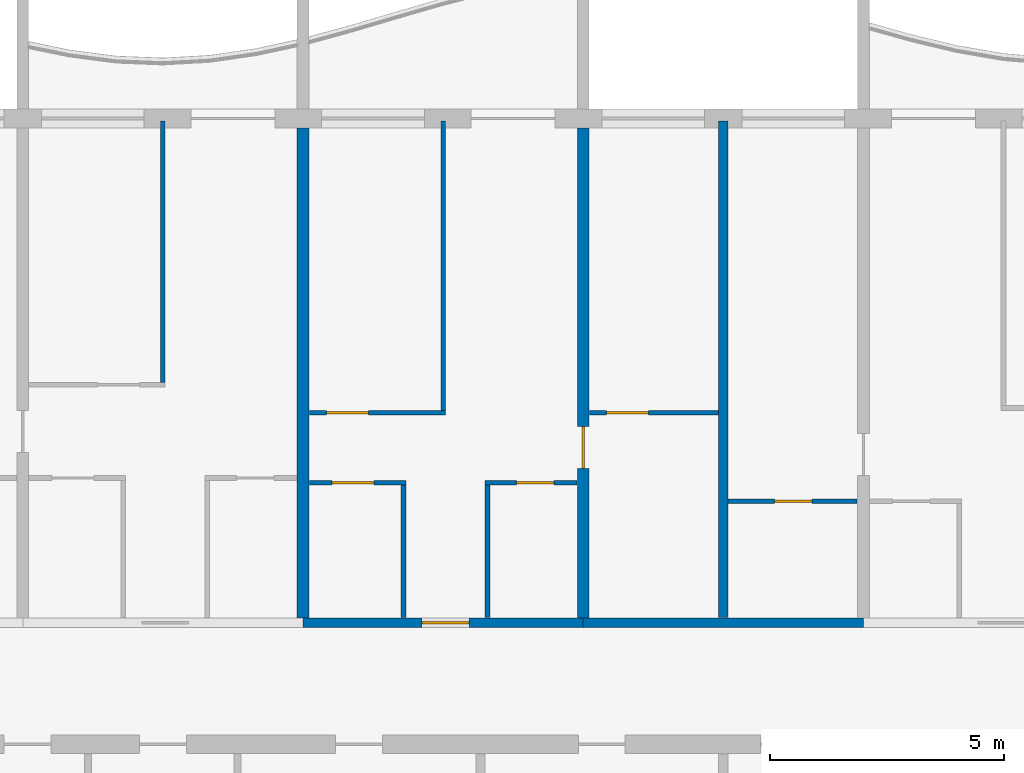
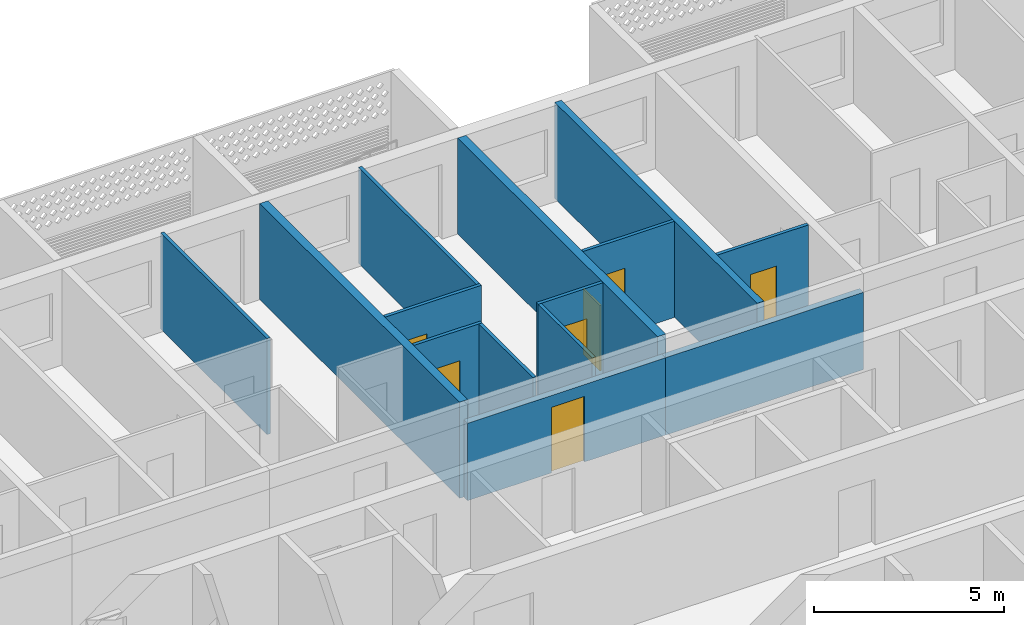
# One storey, part 9 of 26: 14 walls, 7 doors, 7 openings.
"""IFC4 building model written with IfcOpenShell, lengths in metres."""

from ifc_helpers import new_model, si_unit, direction, frame, frame_2d, origin, place, context, subcontext, project, spatial, rectangle, extrude, material, layer, layer_set, type_object, element, fill, save


model = new_model("IFC4")

# Units and contexts
model_context = context("Model", 3, precision=1e-05, world=origin(), true_north=direction((0.0, 1.0)))
body_context = subcontext(model_context, "Body", "Model", "MODEL_VIEW")
ifc_project = project(units=[si_unit("LENGTHUNIT", "METRE"), si_unit("AREAUNIT", "SQUARE_METRE"), si_unit("VOLUMEUNIT", "CUBIC_METRE"), si_unit("PLANEANGLEUNIT", "RADIAN"), si_unit("MASSUNIT", "GRAM", prefix="KILO")], contexts=[model_context])

# Site, building, storey
site_placement = place(None, origin())
site = spatial("IfcSite", under=ifc_project, at=site_placement, CompositionType="ELEMENT")
building_placement = place(site_placement, origin())
building = spatial("IfcBuilding", under=site, at=building_placement, Name="Poui Terraces", CompositionType="ELEMENT")
storey_placement = place(building_placement, frame((0.0, 0.0, 175.199951171875)))
storey = spatial("IfcBuildingStorey", under=building, at=storey_placement, Name="L48", CompositionType="ELEMENT", Elevation=175.199951171875)

# Wall, opening, door
ifc_material_1 = material(Name="Concrete 50 MPa", Category="concrete")
ifc_layer_1 = layer(ifc_material_1, 0.199951171875)
ifc_layer_set_1 = layer_set([ifc_layer_1], Name="Concrete 50 MPa")
wall_type_1 = type_object("IfcWallType", Name="CORRIDOR WALL 200 50MPa", PredefinedType="SHEAR", material=ifc_layer_set_1)
wall_1_placement = place(storey_placement, frame((54.0, 30.39990234375, 0.0), z_axis=(0.0, 0.0, 1.0), x_axis=(1.0, 0.0, 0.0)))
wall_1 = element("IfcWall", 1, at=wall_1_placement, inside=storey, type_object=wall_type_1, Name="CORRIDOR WALL LINE E BAY 7", PredefinedType="SHEAR", context=body_context, shape_type="SweptSolid", body=[
    extrude(rectangle(XDim=6.0, YDim=0.199951171875, at=frame_2d((3.0, 0.0))), origin(), (0.0, 0.0, 1.0), 2.47998046875),
])
opening_1_placement = place(wall_1_placement, frame((2.550048828125, 0.0, 0.0)))
opening_1 = element("IfcOpeningElement", 2, at=opening_1_placement, cuts=wall_1, Name="Opening FD30S", PredefinedType="OPENING", context=body_context, shape_type="SweptSolid", body=[
    extrude(rectangle(XDim=1.0, YDim=2.10009765625, at=frame_2d((0.5, 1.050048828125))), frame((0.0, 0.10986328125, 0.0), z_axis=(0.0, -1.0, 0.0), x_axis=(1.0, 0.0, 0.0)), (0.0, 0.0, 1.0), 0.219970703125),
])
ifc_material_2 = material(Name="Steel fire door", Category="steel")
door_type_1 = type_object("IfcDoorType", Name="FLAT ENTRANCE DOOR 1000 X 2100", OperationType="NOTDEFINED", PredefinedType="DOOR", material=ifc_material_2)
door_1_placement = place(opening_1_placement, origin())
door_1 = element("IfcDoor", 3, at=door_1_placement, inside=storey, type_object=door_type_1, Name="FLAT ENTRANCE DOOR 048", OperationType="SINGLE_SWING_RIGHT", OverallHeight=2.10009765625, OverallWidth=1.0, PredefinedType="DOOR", context=body_context, shape_type="SweptSolid", body=[
    extrude(rectangle(XDim=1.0, YDim=2.10009765625, at=frame_2d((0.5, 1.050048828125))), frame((0.0, 0.02490234375, 0.0), z_axis=(0.0, -1.0, 0.0), x_axis=(1.0, 0.0, 0.0)), (0.0, 0.0, 1.0), 0.050048828125),
])
fill(opening_1, door_1)

# Walls
wall_2_placement = place(storey_placement, frame((60.0, 30.39990234375, 0.0), z_axis=(0.0, 0.0, 1.0), x_axis=(1.0, 0.0, 0.0)))
element("IfcWall", 4, at=wall_2_placement, inside=storey, type_object=wall_type_1, Name="CORRIDOR WALL LINE E BAY 8", PredefinedType="SHEAR", context=body_context, shape_type="SweptSolid", body=[
    extrude(rectangle(XDim=6.0, YDim=0.199951171875, at=frame_2d((3.0, 0.0))), origin(), (0.0, 0.0, 1.0), 2.47998046875),
])
ifc_layer_2 = layer(ifc_material_1, 0.25)
ifc_layer_set_2 = layer_set([ifc_layer_2], Name="Concrete 50 MPa")
wall_type_2 = type_object("IfcWallType", Name="CROSS WALL 250 50MPa", PredefinedType="SHEAR", material=ifc_layer_set_2)
wall_3_placement = place(storey_placement, frame((54.0, 30.5, 0.0), z_axis=(0.0, 0.0, 1.0), x_axis=(0.0, 1.0, 0.0)))
element("IfcWall", 5, at=wall_3_placement, inside=storey, type_object=wall_type_2, Name="CROSS WALL LINE 10 NORTH", PredefinedType="SHEAR", context=body_context, shape_type="SweptSolid", body=[
    extrude(rectangle(XDim=10.5, YDim=0.25, at=frame_2d((5.25, 0.0))), origin(), (0.0, 0.0, 1.0), 3.080078125),
])

# Wall, opening, door
wall_4_placement = place(storey_placement, frame((60.0, 30.5, 0.0), z_axis=(0.0, 0.0, 1.0), x_axis=(0.0, 1.0, 0.0)))
wall_4 = element("IfcWall", 6, at=wall_4_placement, inside=storey, type_object=wall_type_2, Name="CROSS WALL LINE 11 NORTH", PredefinedType="SHEAR", context=body_context, shape_type="SweptSolid", body=[
    extrude(rectangle(XDim=10.5, YDim=0.25, at=frame_2d((5.25, 0.0))), origin(), (0.0, 0.0, 1.0), 3.080078125),
])
opening_2_placement = place(wall_4_placement, frame((3.199951171875, 0.0, 0.0)))
opening_2 = element("IfcOpeningElement", 7, at=opening_2_placement, cuts=wall_4, Name="Opening D90", PredefinedType="OPENING", context=body_context, shape_type="SweptSolid", body=[
    extrude(rectangle(XDim=0.89990234375, YDim=2.10009765625, at=frame_2d((0.449951171875, 1.050048828125))), frame((0.0, 0.135009765625, 0.0), z_axis=(0.0, -1.0, 0.0), x_axis=(1.0, 0.0, 0.0)), (0.0, 0.0, 1.0), 0.27001953125),
])
ifc_material_3 = material(Name="Solid core timber door", Category="wood")
door_type_2 = type_object("IfcDoorType", Name="INTERNAL DOOR 900 X 2100", OperationType="NOTDEFINED", PredefinedType="DOOR", material=ifc_material_3)
door_2_placement = place(opening_2_placement, origin())
door_2 = element("IfcDoor", 8, at=door_2_placement, inside=storey, type_object=door_type_2, Name="INTERNAL DOOR 050", OperationType="SINGLE_SWING_LEFT", OverallHeight=2.10009765625, OverallWidth=0.89990234375, PredefinedType="DOOR", context=body_context, shape_type="SweptSolid", body=[
    extrude(rectangle(XDim=0.89990234375, YDim=2.10009765625, at=frame_2d((0.449951171875, 1.050048828125))), frame((0.0, 0.02490234375, 0.0), z_axis=(0.0, -1.0, 0.0), x_axis=(1.0, 0.0, 0.0)), (0.0, 0.0, 1.0), 0.050048828125),
])
fill(opening_2, door_2)

ifc_material_4 = material(Name="Plasterboard partition")
ifc_layer_3 = layer(ifc_material_4, 0.10009765625)
ifc_layer_set_3 = layer_set([ifc_layer_3], Name="Plasterboard partition")
wall_type_3 = type_object("IfcWallType", Name="FLAT PARTITION 100", PredefinedType="PARTITIONING", material=ifc_layer_set_3)
wall_5_placement = place(storey_placement, frame((63.10009765625, 33.0, 0.0), z_axis=(0.0, 0.0, 1.0), x_axis=(1.0, 0.0, 0.0)))
wall_5 = element("IfcWall", 9, at=wall_5_placement, inside=storey, type_object=wall_type_3, Name="FLAT PARTITION 100", PredefinedType="PARTITIONING", context=body_context, shape_type="SweptSolid", body=[
    extrude(rectangle(XDim=2.764892578125, YDim=0.10009765625, at=frame_2d((1.38232421875, 0.0))), origin(), (0.0, 0.0, 1.0), 3.080078125),
])
opening_3_placement = place(wall_5_placement, frame((1.0, 0.0, 0.0)))
opening_3 = element("IfcOpeningElement", 10, at=opening_3_placement, cuts=wall_5, Name="Opening D80", PredefinedType="OPENING", context=body_context, shape_type="SweptSolid", body=[
    extrude(rectangle(XDim=0.800048828125, YDim=2.10009765625, at=frame_2d((0.39990234375, 1.050048828125))), frame((0.0, 0.06005859375, 0.0), z_axis=(0.0, -1.0, 0.0), x_axis=(1.0, 0.0, 0.0)), (0.0, 0.0, 1.0), 0.1201171875),
])
door_type_3 = type_object("IfcDoorType", Name="BATHROOM, LAUNDRY AND STORE DOOR 800 X 2100", OperationType="NOTDEFINED", PredefinedType="DOOR", material=ifc_material_3)
door_3_placement = place(opening_3_placement, frame((0.800048828125, 0.0, 0.0), z_axis=(0.0, 0.0, 1.0), x_axis=(-1.0, 0.0, 0.0)))
door_3 = element("IfcDoor", 11, at=door_3_placement, inside=storey, type_object=door_type_3, Name="BATHROOM, LAUNDRY AND STORE DOOR 051", OperationType="SINGLE_SWING_LEFT", OverallHeight=2.10009765625, OverallWidth=0.800048828125, PredefinedType="DOOR", context=body_context, shape_type="SweptSolid", body=[
    extrude(rectangle(XDim=0.800048828125, YDim=2.10009765625, at=frame_2d((0.39990234375, 1.050048828125))), frame((0.0, 0.02490234375, 0.0), z_axis=(0.0, -1.0, 0.0), x_axis=(1.0, 0.0, 0.0)), (0.0, 0.0, 1.0), 0.050048828125),
])
fill(opening_3, door_3)

wall_6_placement = place(storey_placement, frame((54.135009765625, 33.39990234375, 0.0), z_axis=(0.0, 0.0, 1.0), x_axis=(1.0, 0.0, 0.0)))
wall_6 = element("IfcWall", 12, at=wall_6_placement, inside=storey, type_object=wall_type_3, Name="FLAT PARTITION 100", PredefinedType="PARTITIONING", context=body_context, shape_type="SweptSolid", body=[
    extrude(rectangle(XDim=2.06494140625, YDim=0.10009765625, at=frame_2d((1.032470703125, 0.0))), origin(), (0.0, 0.0, 1.0), 3.080078125),
])
opening_4_placement = place(wall_6_placement, frame((0.489990234375, 0.0, 0.0)))
opening_4 = element("IfcOpeningElement", 13, at=opening_4_placement, cuts=wall_6, Name="Opening D90", PredefinedType="OPENING", context=body_context, shape_type="SweptSolid", body=[
    extrude(rectangle(XDim=0.89990234375, YDim=2.10009765625, at=frame_2d((0.449951171875, 1.050048828125))), frame((0.0, 0.06005859375, 0.0), z_axis=(0.0, -1.0, 0.0), x_axis=(1.0, 0.0, 0.0)), (0.0, 0.0, 1.0), 0.1201171875),
])
door_4_placement = place(opening_4_placement, frame((0.89990234375, 0.0, 0.0), z_axis=(0.0, 0.0, 1.0), x_axis=(-1.0, 0.0, 0.0)))
door_4 = element("IfcDoor", 14, at=door_4_placement, inside=storey, type_object=door_type_2, Name="INTERNAL DOOR 047", OperationType="SINGLE_SWING_RIGHT", OverallHeight=2.10009765625, OverallWidth=0.89990234375, PredefinedType="DOOR", context=body_context, shape_type="SweptSolid", body=[
    extrude(rectangle(XDim=0.89990234375, YDim=2.10009765625, at=frame_2d((0.449951171875, 1.050048828125))), frame((0.0, 0.02490234375, 0.0), z_axis=(0.0, -1.0, 0.0), x_axis=(1.0, 0.0, 0.0)), (0.0, 0.0, 1.0), 0.050048828125),
])
fill(opening_4, door_4)

wall_7_placement = place(storey_placement, frame((57.89990234375, 33.39990234375, 0.0), z_axis=(0.0, 0.0, 1.0), x_axis=(1.0, 0.0, 0.0)))
wall_7 = element("IfcWall", 15, at=wall_7_placement, inside=storey, type_object=wall_type_3, Name="FLAT PARTITION 100", PredefinedType="PARTITIONING", context=body_context, shape_type="SweptSolid", body=[
    extrude(rectangle(XDim=1.965087890625, YDim=0.10009765625, at=frame_2d((0.982421875, 0.0))), origin(), (0.0, 0.0, 1.0), 3.080078125),
])
opening_5_placement = place(wall_7_placement, frame((0.675048828125, 0.0, 0.0)))
opening_5 = element("IfcOpeningElement", 16, at=opening_5_placement, cuts=wall_7, Name="Opening D80", PredefinedType="OPENING", context=body_context, shape_type="SweptSolid", body=[
    extrude(rectangle(XDim=0.800048828125, YDim=2.10009765625, at=frame_2d((0.39990234375, 1.050048828125))), frame((0.0, 0.06005859375, 0.0), z_axis=(0.0, -1.0, 0.0), x_axis=(1.0, 0.0, 0.0)), (0.0, 0.0, 1.0), 0.1201171875),
])
door_5_placement = place(opening_5_placement, frame((0.800048828125, 0.0, 0.0), z_axis=(0.0, 0.0, 1.0), x_axis=(-1.0, 0.0, 0.0)))
door_5 = element("IfcDoor", 17, at=door_5_placement, inside=storey, type_object=door_type_3, Name="BATHROOM, LAUNDRY AND STORE DOOR 049", OperationType="SINGLE_SWING_LEFT", OverallHeight=2.10009765625, OverallWidth=0.800048828125, PredefinedType="DOOR", context=body_context, shape_type="SweptSolid", body=[
    extrude(rectangle(XDim=0.800048828125, YDim=2.10009765625, at=frame_2d((0.39990234375, 1.050048828125))), frame((0.0, 0.02490234375, 0.0), z_axis=(0.0, -1.0, 0.0), x_axis=(1.0, 0.0, 0.0)), (0.0, 0.0, 1.0), 0.050048828125),
])
fill(opening_5, door_5)

wall_8_placement = place(storey_placement, frame((54.135009765625, 34.89990234375, 0.0), z_axis=(0.0, 0.0, 1.0), x_axis=(1.0, 0.0, 0.0)))
wall_8 = element("IfcWall", 18, at=wall_8_placement, inside=storey, type_object=wall_type_3, Name="FLAT PARTITION 100", PredefinedType="PARTITIONING", context=body_context, shape_type="SweptSolid", body=[
    extrude(rectangle(XDim=2.9150390625, YDim=0.10009765625, at=frame_2d((1.45751953125, 0.0))), origin(), (0.0, 0.0, 1.0), 3.080078125),
])
opening_6_placement = place(wall_8_placement, frame((0.364990234375, 0.0, 0.0)))
opening_6 = element("IfcOpeningElement", 19, at=opening_6_placement, cuts=wall_8, Name="Opening D90", PredefinedType="OPENING", context=body_context, shape_type="SweptSolid", body=[
    extrude(rectangle(XDim=0.89990234375, YDim=2.10009765625, at=frame_2d((0.449951171875, 1.050048828125))), frame((0.0, 0.06005859375, 0.0), z_axis=(0.0, -1.0, 0.0), x_axis=(1.0, 0.0, 0.0)), (0.0, 0.0, 1.0), 0.1201171875),
])
door_6_placement = place(opening_6_placement, frame((0.89990234375, 0.0, 0.0), z_axis=(0.0, 0.0, 1.0), x_axis=(-1.0, 0.0, 0.0)))
door_6 = element("IfcDoor", 20, at=door_6_placement, inside=storey, type_object=door_type_2, Name="INTERNAL DOOR 046", OperationType="SINGLE_SWING_LEFT", OverallHeight=2.10009765625, OverallWidth=0.89990234375, PredefinedType="DOOR", context=body_context, shape_type="SweptSolid", body=[
    extrude(rectangle(XDim=0.89990234375, YDim=2.10009765625, at=frame_2d((0.449951171875, 1.050048828125))), frame((0.0, 0.02490234375, 0.0), z_axis=(0.0, -1.0, 0.0), x_axis=(1.0, 0.0, 0.0)), (0.0, 0.0, 1.0), 0.050048828125),
])
fill(opening_6, door_6)

wall_9_placement = place(storey_placement, frame((60.135009765625, 34.89990234375, 0.0), z_axis=(0.0, 0.0, 1.0), x_axis=(1.0, 0.0, 0.0)))
wall_9 = element("IfcWall", 21, at=wall_9_placement, inside=storey, type_object=wall_type_3, Name="FLAT PARTITION 100", PredefinedType="PARTITIONING", context=body_context, shape_type="SweptSolid", body=[
    extrude(rectangle(XDim=2.764892578125, YDim=0.10009765625, at=frame_2d((1.38232421875, 0.0))), origin(), (0.0, 0.0, 1.0), 3.080078125),
])
opening_7_placement = place(wall_9_placement, frame((0.364990234375, 0.0, 0.0)))
opening_7 = element("IfcOpeningElement", 22, at=opening_7_placement, cuts=wall_9, Name="Opening D90", PredefinedType="OPENING", context=body_context, shape_type="SweptSolid", body=[
    extrude(rectangle(XDim=0.89990234375, YDim=2.10009765625, at=frame_2d((0.449951171875, 1.050048828125))), frame((0.0, 0.06005859375, 0.0), z_axis=(0.0, -1.0, 0.0), x_axis=(1.0, 0.0, 0.0)), (0.0, 0.0, 1.0), 0.1201171875),
])
door_7_placement = place(opening_7_placement, origin())
door_7 = element("IfcDoor", 23, at=door_7_placement, inside=storey, type_object=door_type_2, Name="INTERNAL DOOR 045", OperationType="SINGLE_SWING_LEFT", OverallHeight=2.10009765625, OverallWidth=0.89990234375, PredefinedType="DOOR", context=body_context, shape_type="SweptSolid", body=[
    extrude(rectangle(XDim=0.89990234375, YDim=2.10009765625, at=frame_2d((0.449951171875, 1.050048828125))), frame((0.0, 0.02490234375, 0.0), z_axis=(0.0, -1.0, 0.0), x_axis=(1.0, 0.0, 0.0)), (0.0, 0.0, 1.0), 0.050048828125),
])
fill(opening_7, door_7)

# Walls
wall_10_placement = place(storey_placement, frame((51.0, 35.550048828125, 0.0), z_axis=(0.0, 0.0, 1.0), x_axis=(0.0, 1.0, 0.0)))
element("IfcWall", 24, at=wall_10_placement, inside=storey, type_object=wall_type_3, Name="FLAT PARTITION 100", PredefinedType="PARTITIONING", context=body_context, shape_type="SweptSolid", body=[
    extrude(rectangle(XDim=5.58984375, YDim=0.10009765625, at=frame_2d((2.794921875, 0.0))), origin(), (0.0, 0.0, 1.0), 3.080078125),
])
wall_11_placement = place(storey_placement, frame((56.14990234375, 30.510009765625, 0.0), z_axis=(0.0, 0.0, 1.0), x_axis=(0.0, 1.0, 0.0)))
element("IfcWall", 25, at=wall_11_placement, inside=storey, type_object=wall_type_3, Name="FLAT PARTITION 100", PredefinedType="PARTITIONING", context=body_context, shape_type="SweptSolid", body=[
    extrude(rectangle(XDim=2.840087890625, YDim=0.10009765625, at=frame_2d((1.419921875, 0.0))), origin(), (0.0, 0.0, 1.0), 3.080078125),
])
wall_12_placement = place(storey_placement, frame((57.0, 34.949951171875, 0.0), z_axis=(0.0, 0.0, 1.0), x_axis=(0.0, 1.0, 0.0)))
element("IfcWall", 26, at=wall_12_placement, inside=storey, type_object=wall_type_3, Name="FLAT PARTITION 100", PredefinedType="PARTITIONING", context=body_context, shape_type="SweptSolid", body=[
    extrude(rectangle(XDim=6.18994140625, YDim=0.10009765625, at=frame_2d((3.094970703125, 0.0))), origin(), (0.0, 0.0, 1.0), 3.080078125),
])
wall_13_placement = place(storey_placement, frame((57.949951171875, 30.510009765625, 0.0), z_axis=(0.0, 0.0, 1.0), x_axis=(0.0, 1.0, 0.0)))
element("IfcWall", 27, at=wall_13_placement, inside=storey, type_object=wall_type_3, Name="FLAT PARTITION 100", PredefinedType="PARTITIONING", context=body_context, shape_type="SweptSolid", body=[
    extrude(rectangle(XDim=2.840087890625, YDim=0.10009765625, at=frame_2d((1.419921875, 0.0))), origin(), (0.0, 0.0, 1.0), 3.080078125),
])
ifc_material_5 = material(Name="Fire-rated masonry wall", Category="masonry")
ifc_layer_4 = layer(ifc_material_5, 0.199951171875)
ifc_layer_set_4 = layer_set([ifc_layer_4], Name="Fire-rated masonry wall")
wall_type_4 = type_object("IfcWallType", Name="FLAT PARTY WALL 200", PredefinedType="PARTITIONING", material=ifc_layer_set_4)
wall_14_placement = place(storey_placement, frame((63.0, 30.510009765625, 0.0), z_axis=(0.0, 0.0, 1.0), x_axis=(0.0, 1.0, 0.0)))
element("IfcWall", 28, at=wall_14_placement, inside=storey, type_object=wall_type_4, Name="FLAT PARTY WALL 200", PredefinedType="PARTITIONING", context=body_context, shape_type="SweptSolid", body=[
    extrude(rectangle(XDim=10.6298828125, YDim=0.199951171875, at=frame_2d((5.31494140625, 0.0))), origin(), (0.0, 0.0, 1.0), 3.080078125),
])

save(model, "model.ifc")
